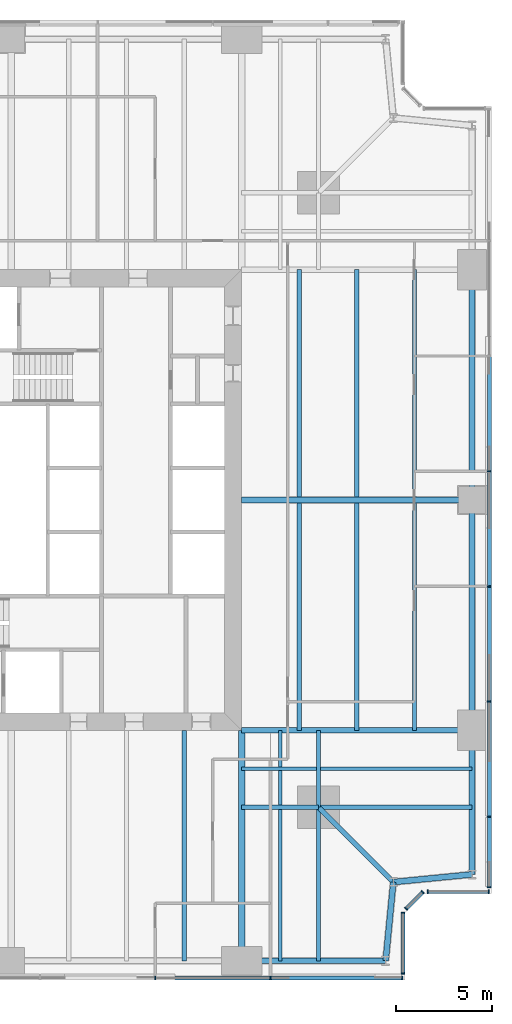
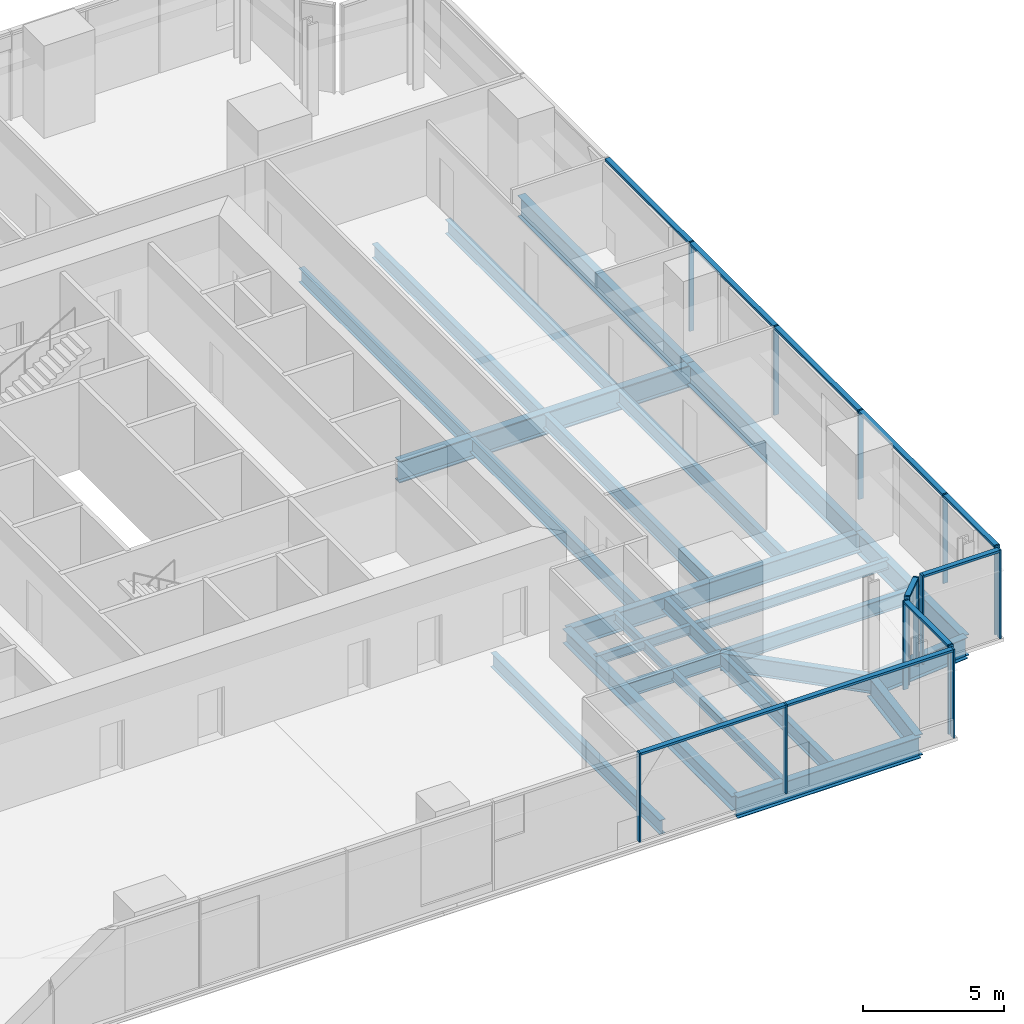
# One storey, part 5 of 14: 26 beams, 24 members, 5 elements without a shape of their own.
"""IFC4 building model written with IfcOpenShell, lengths in metres."""

from ifc_helpers import new_model, si_unit, direction, frame, origin, origin_2d, place, context, subcontext, project, spatial, rectangle, i_section, extrude, material, material_profile, profile_set, type_object, element, aggregate, save


model = new_model("IFC4")

# Units and contexts
model_context = context("Model", 3, precision=1e-05, world=origin(), true_north=direction((0.0, 1.0)))
body_context = subcontext(model_context, "Body", "Model", "MODEL_VIEW")
ifc_project = project(units=[si_unit("LENGTHUNIT", "METRE"), si_unit("AREAUNIT", "SQUARE_METRE"), si_unit("VOLUMEUNIT", "CUBIC_METRE"), si_unit("PLANEANGLEUNIT", "RADIAN"), si_unit("MASSUNIT", "GRAM", prefix="KILO")], contexts=[model_context])

# Site, building, storey
site_placement = place(None, origin())
site = spatial("IfcSite", under=ifc_project, at=site_placement, CompositionType="ELEMENT")
building_placement = place(site_placement, origin())
building = spatial("IfcBuilding", under=site, at=building_placement, Name="Fenwick Lantern Interchange", CompositionType="ELEMENT")
storey_placement = place(building_placement, frame((0.0, 0.0, 118.39990234375)))
storey = spatial("IfcBuildingStorey", under=building, at=storey_placement, Name="L27", CompositionType="ELEMENT", Elevation=118.39990234375)

# Beams
ifc_material_1 = material(Name="Steel ASTM A992 Grade 50", Category="steel")
ifc_material_profile_1 = material_profile(ifc_material_1, i_section(OverallWidth=0.3046875, OverallDepth=0.911865234375, WebThickness=0.015869140625, FlangeThickness=0.02392578125, at=origin_2d()), Name="W36X150")
ifc_profile_set_1 = profile_set([ifc_material_profile_1], Name="Steel ASTM A992 Grade 50")
beam_type_1 = type_object("IfcBeamType", Name="EDGE BEAM W36X150", PredefinedType="SPANDREL", material=ifc_profile_set_1)
beam_1_placement = place(storey_placement, frame((37.0, 1.0, -0.605712890625), z_axis=(1.0, 0.0, 0.0), x_axis=(0.0, 1.0, 0.0)))
element("IfcBeam", 1, at=beam_1_placement, inside=storey, type_object=beam_type_1, Name="L27/FR/S/EB4", PredefinedType="SPANDREL", context=body_context, shape_type="SweptSolid", body=[
    extrude(i_section(OverallWidth=0.3046875, OverallDepth=0.911865234375, WebThickness=0.015869140625, FlangeThickness=0.02392578125, at=origin_2d()), origin(), (0.0, 0.0, 1.0), 7.5),
])
for number, where, z_axis, x_axis, name in (
    (2, (44.5, 1.0, -0.605712890625), (0.097074191287, 0.995277148028, 0.0), (-0.995277148028, 0.097074191287, 0.0), "L27/FR/S/EBR1"),
    (3, (44.89990234375, 5.10009765625, -0.605712890625), (0.995277148028, 0.097074191287, 0.0), (-0.097074191287, 0.995277148028, 0.0), "L27/FR/S/EBR2"),
):
    element("IfcBeam", number, at=place(storey_placement, frame(where, z_axis=z_axis, x_axis=x_axis)), inside=storey, type_object=beam_type_1, Name=name, PredefinedType="SPANDREL", context=body_context, shape_type="SweptSolid", body=[
        extrude(i_section(OverallWidth=0.3046875, OverallDepth=0.911865234375, WebThickness=0.015869140625, FlangeThickness=0.02392578125, at=origin_2d()), origin(), (0.0, 0.0, 1.0), 4.11962890625),
    ])
beam_2_placement = place(storey_placement, frame((49.0, 5.5, -0.605712890625), z_axis=(0.0, 1.0, 0.0), x_axis=(-1.0, 0.0, 0.0)))
element("IfcBeam", 4, at=beam_2_placement, inside=storey, type_object=beam_type_1, Name="L27/FR/E/EB1", PredefinedType="SPANDREL", context=body_context, shape_type="SweptSolid", body=[
    extrude(i_section(OverallWidth=0.3046875, OverallDepth=0.911865234375, WebThickness=0.015869140625, FlangeThickness=0.02392578125, at=origin_2d()), origin(), (0.0, 0.0, 1.0), 7.5),
])
for number, where, z_axis, x_axis, name in (
    (5, (49.0, 13.0, -0.605712890625), (0.0, 1.0, 0.0), (-1.0, 0.0, 0.0), "L27/FR/E/EB2"),
    (6, (49.0, 25.0, -0.605712890625), (0.0, 1.0, 0.0), (-1.0, 0.0, 0.0), "L27/FR/E/EB3"),
):
    element("IfcBeam", number, at=place(storey_placement, frame(where, z_axis=z_axis, x_axis=x_axis)), inside=storey, type_object=beam_type_1, Name=name, PredefinedType="SPANDREL", context=body_context, shape_type="SweptSolid", body=[
        extrude(i_section(OverallWidth=0.3046875, OverallDepth=0.911865234375, WebThickness=0.015869140625, FlangeThickness=0.02392578125, at=origin_2d()), origin(), (0.0, 0.0, 1.0), 12.0),
    ])
ifc_material_profile_2 = material_profile(ifc_material_1, i_section(OverallWidth=0.22900390625, OverallDepth=0.612060546875, WebThickness=0.011962890625, FlangeThickness=0.01953125, at=origin_2d()), Name="W24X84")
ifc_profile_set_2 = profile_set([ifc_material_profile_2], Name="Steel ASTM A992 Grade 50")
beam_type_2 = type_object("IfcBeamType", Name="FLOOR BEAM W24X84", PredefinedType="BEAM", material=ifc_profile_set_2)
beam_3_placement = place(storey_placement, frame((34.0, 1.0, -0.4560546875), z_axis=(0.0, 1.0, 0.0), x_axis=(-1.0, 0.0, 0.0)))
element("IfcBeam", 7, at=beam_3_placement, inside=storey, type_object=beam_type_2, Name="L27/FR/S/R08", PredefinedType="BEAM", context=body_context, shape_type="SweptSolid", body=[
    extrude(i_section(OverallWidth=0.22900390625, OverallDepth=0.612060546875, WebThickness=0.011962890625, FlangeThickness=0.01953125, at=origin_2d()), origin(), (0.0, 0.0, 1.0), 12.0),
])
for number, where, z_axis, x_axis, name in (
    (8, (46.0, 13.0, -0.4560546875), (0.0, 1.0, 0.0), (-1.0, 0.0, 0.0), "L27/FR/E/B01"),
    (9, (43.0, 13.0, -0.4560546875), (0.0, 1.0, 0.0), (-1.0, 0.0, 0.0), "L27/FR/E/B02"),
    (10, (40.0, 13.0, -0.4560546875), (0.0, 1.0, 0.0), (-1.0, 0.0, 0.0), "L27/FR/E/B03"),
    (11, (46.0, 25.155029296875, -0.4560546875), (0.0, 1.0, 0.0), (-1.0, 0.0, 0.0), "L27/FR/E/B04"),
    (12, (43.0, 25.155029296875, -0.4560546875), (0.0, 1.0, 0.0), (-1.0, 0.0, 0.0), "L27/FR/E/B05"),
    (13, (40.0, 25.155029296875, -0.4560546875), (0.0, 1.0, 0.0), (-1.0, 0.0, 0.0), "L27/FR/E/B06"),
):
    element("IfcBeam", number, at=place(storey_placement, frame(where, z_axis=z_axis, x_axis=x_axis)), inside=storey, type_object=beam_type_2, Name=name, PredefinedType="BEAM", context=body_context, shape_type="SweptSolid", body=[
        extrude(i_section(OverallWidth=0.22900390625, OverallDepth=0.612060546875, WebThickness=0.011962890625, FlangeThickness=0.01953125, at=origin_2d()), origin(), (0.0, 0.0, 1.0), 11.844970703125),
    ])
ifc_material_profile_3 = material_profile(ifc_material_1, i_section(OverallWidth=0.177734375, OverallDepth=0.406494140625, WebThickness=0.0078125, FlangeThickness=0.012939453125, at=origin_2d()), Name="W16X40")
ifc_profile_set_3 = profile_set([ifc_material_profile_3], Name="Steel ASTM A992 Grade 50")
beam_type_3 = type_object("IfcBeamType", Name="INFILL BEAM W16X40", PredefinedType="JOIST", material=ifc_profile_set_3)
beam_4_placement = place(storey_placement, frame((49.0, 11.0, -0.35302734375), z_axis=(-1.0, 0.0, 0.0), x_axis=(0.0, -1.0, 0.0)))
element("IfcBeam", 14, at=beam_4_placement, inside=storey, type_object=beam_type_3, Name="L27/FR/E/J1", PredefinedType="JOIST", context=body_context, shape_type="SweptSolid", body=[
    extrude(i_section(OverallWidth=0.177734375, OverallDepth=0.406494140625, WebThickness=0.0078125, FlangeThickness=0.012939453125, at=origin_2d()), origin(), (0.0, 0.0, 1.0), 7.885498046875),
])
beam_5_placement = place(storey_placement, frame((40.885498046875, 11.0, -0.35302734375), z_axis=(-1.0, 0.0, 0.0), x_axis=(0.0, -1.0, 0.0)))
element("IfcBeam", 15, at=beam_5_placement, inside=storey, type_object=beam_type_3, Name="L27/FR/E/J2", PredefinedType="JOIST", context=body_context, shape_type="SweptSolid", body=[
    extrude(i_section(OverallWidth=0.177734375, OverallDepth=0.406494140625, WebThickness=0.0078125, FlangeThickness=0.012939453125, at=origin_2d()), origin(), (0.0, 0.0, 1.0), 3.885498046875),
])
beam_6_placement = place(storey_placement, frame((39.0, 1.0, -0.35302734375), z_axis=(0.0, 1.0, 0.0), x_axis=(-1.0, 0.0, 0.0)))
element("IfcBeam", 16, at=beam_6_placement, inside=storey, type_object=beam_type_3, Name="L27/FR/E/J3", PredefinedType="JOIST", context=body_context, shape_type="SweptSolid", body=[
    extrude(i_section(OverallWidth=0.177734375, OverallDepth=0.406494140625, WebThickness=0.0078125, FlangeThickness=0.012939453125, at=origin_2d()), origin(), (0.0, 0.0, 1.0), 7.885498046875),
])
beam_7_placement = place(storey_placement, frame((39.0, 9.114501953125, -0.35302734375), z_axis=(0.0, 1.0, 0.0), x_axis=(-1.0, 0.0, 0.0)))
element("IfcBeam", 17, at=beam_7_placement, inside=storey, type_object=beam_type_3, Name="L27/FR/E/J4", PredefinedType="JOIST", context=body_context, shape_type="SweptSolid", body=[
    extrude(i_section(OverallWidth=0.177734375, OverallDepth=0.406494140625, WebThickness=0.0078125, FlangeThickness=0.012939453125, at=origin_2d()), origin(), (0.0, 0.0, 1.0), 1.796630859375),
])
beam_8_placement = place(storey_placement, frame((39.0, 11.0888671875, -0.35302734375), z_axis=(0.0, 1.0, 0.0), x_axis=(-1.0, 0.0, 0.0)))
element("IfcBeam", 18, at=beam_8_placement, inside=storey, type_object=beam_type_3, Name="L27/FR/E/J5", PredefinedType="JOIST", context=body_context, shape_type="SweptSolid", body=[
    extrude(i_section(OverallWidth=0.177734375, OverallDepth=0.406494140625, WebThickness=0.0078125, FlangeThickness=0.012939453125, at=origin_2d()), origin(), (0.0, 0.0, 1.0), 1.9111328125),
])
ifc_material_profile_4 = material_profile(ifc_material_1, i_section(OverallWidth=0.22900390625, OverallDepth=0.612060546875, WebThickness=0.011962890625, FlangeThickness=0.01953125, at=origin_2d()), Name="W24X84")
ifc_profile_set_4 = profile_set([ifc_material_profile_4], Name="Steel ASTM A992 Grade 50")
beam_type_4 = type_object("IfcBeamType", Name="MEGA COLUMN BEAM W24X84", PredefinedType="BEAM", material=ifc_profile_set_4)
for number, where, z_axis, x_axis, name in (
    (19, (41.0, 9.0, -0.4560546875), (1.0, 0.0, 0.0), (0.0, 1.0, 0.0), "L27/FR/E/MB1"),
    (20, (41.0, 9.0, -0.4560546875), (0.0, -1.0, 0.0), (1.0, 0.0, 0.0), "L27/FR/E/MB2"),
):
    element("IfcBeam", number, at=place(storey_placement, frame(where, z_axis=z_axis, x_axis=x_axis)), inside=storey, type_object=beam_type_4, Name=name, PredefinedType="BEAM", context=body_context, shape_type="SweptSolid", body=[
        extrude(i_section(OverallWidth=0.22900390625, OverallDepth=0.612060546875, WebThickness=0.011962890625, FlangeThickness=0.01953125, at=origin_2d()), origin(), (0.0, 0.0, 1.0), 8.0),
    ])
for number, where, z_axis, x_axis, name in (
    (21, (41.0, 9.0, -0.4560546875), (0.0, 1.0, 0.0), (-1.0, 0.0, 0.0), "L27/FR/E/MB3"),
    (22, (41.0, 9.0, -0.4560546875), (-1.0, 0.0, 0.0), (0.0, -1.0, 0.0), "L27/FR/E/MB4"),
):
    element("IfcBeam", number, at=place(storey_placement, frame(where, z_axis=z_axis, x_axis=x_axis)), inside=storey, type_object=beam_type_4, Name=name, PredefinedType="BEAM", context=body_context, shape_type="SweptSolid", body=[
        extrude(i_section(OverallWidth=0.22900390625, OverallDepth=0.612060546875, WebThickness=0.011962890625, FlangeThickness=0.01953125, at=origin_2d()), origin(), (0.0, 0.0, 1.0), 4.0),
    ])
ifc_material_profile_5 = material_profile(ifc_material_1, i_section(OverallWidth=0.32763671875, OverallDepth=0.622314453125, WebThickness=0.015380859375, FlangeThickness=0.0244140625, at=origin_2d()), Name="W24X131")
ifc_profile_set_5 = profile_set([ifc_material_profile_5], Name="Steel ASTM A992 Grade 50")
beam_type_5 = type_object("IfcBeamType", Name="MOMENT-CONNECTED GIRDER W24X131", PredefinedType="BEAM", material=ifc_profile_set_5)
beam_9_placement = place(storey_placement, frame((37.0, 1.0, -0.4609375), z_axis=(0.0, 1.0, 0.0), x_axis=(-1.0, 0.0, 0.0)))
element("IfcBeam", 23, at=beam_9_placement, inside=storey, type_object=beam_type_5, Name="L27/FR/S/R09", PredefinedType="BEAM", context=body_context, shape_type="SweptSolid", body=[
    extrude(i_section(OverallWidth=0.32763671875, OverallDepth=0.622314453125, WebThickness=0.015380859375, FlangeThickness=0.0244140625, at=origin_2d()), origin(), (0.0, 0.0, 1.0), 12.0),
])
ifc_material_profile_6 = material_profile(ifc_material_1, i_section(OverallWidth=0.2919921875, OverallDepth=0.845703125, WebThickness=0.015380859375, FlangeThickness=0.0244140625, at=origin_2d()), Name="W33X141")
ifc_profile_set_6 = profile_set([ifc_material_profile_6], Name="Steel ASTM A992 Grade 50")
beam_type_6 = type_object("IfcBeamType", Name="MOMENT-CONNECTED GIRDER W33X141", PredefinedType="BEAM", material=ifc_profile_set_6)
beam_10_placement = place(storey_placement, frame((49.0, 13.0, -0.57275390625), z_axis=(-1.0, 0.0, 0.0), x_axis=(0.0, -1.0, 0.0)))
element("IfcBeam", 24, at=beam_10_placement, inside=storey, type_object=beam_type_6, Name="L27/FR/E/R01", PredefinedType="BEAM", context=body_context, shape_type="SweptSolid", body=[
    extrude(i_section(OverallWidth=0.2919921875, OverallDepth=0.845703125, WebThickness=0.015380859375, FlangeThickness=0.0244140625, at=origin_2d()), origin(), (0.0, 0.0, 1.0), 12.0),
])
ifc_material_profile_7 = material_profile(ifc_material_1, i_section(OverallWidth=0.309814453125, OverallDepth=0.949951171875, WebThickness=0.0244140625, FlangeThickness=0.0439453125, at=origin_2d()), Name="W36X256")
ifc_profile_set_7 = profile_set([ifc_material_profile_7], Name="Steel ASTM A992 Grade 50")
beam_type_7 = type_object("IfcBeamType", Name="MOMENT-CONNECTED GIRDER W36X256", PredefinedType="BEAM", material=ifc_profile_set_7)
beam_11_placement = place(storey_placement, frame((49.0, 25.0, -0.625), z_axis=(-1.0, 0.0, 0.0), x_axis=(0.0, -1.0, 0.0)))
element("IfcBeam", 25, at=beam_11_placement, inside=storey, type_object=beam_type_7, Name="L27/FR/E/R02", PredefinedType="BEAM", context=body_context, shape_type="SweptSolid", body=[
    extrude(i_section(OverallWidth=0.309814453125, OverallDepth=0.949951171875, WebThickness=0.0244140625, FlangeThickness=0.0439453125, at=origin_2d()), origin(), (0.0, 0.0, 1.0), 12.0),
])
ifc_material_profile_8 = material_profile(ifc_material_1, i_section(OverallWidth=0.2666015625, OverallDepth=0.7568359375, WebThickness=0.013916015625, FlangeThickness=0.019287109375, at=origin_2d()), Name="W30X108")
ifc_profile_set_8 = profile_set([ifc_material_profile_8], Name="Steel ASTM A992 Grade 50")
beam_type_8 = type_object("IfcBeamType", Name="NOTCH BEAM W30X108", PredefinedType="BEAM", material=ifc_profile_set_8)
beam_12_placement = place(storey_placement, frame((41.0, 9.0, -0.5283203125), z_axis=(0.707106781187, -0.707106781187, 0.0), x_axis=(0.707106781187, 0.707106781187, 0.0)))
element("IfcBeam", 26, at=beam_12_placement, inside=storey, type_object=beam_type_8, Name="L27/FR/E/TG", PredefinedType="BEAM", context=body_context, shape_type="SweptSolid", body=[
    extrude(i_section(OverallWidth=0.2666015625, OverallDepth=0.7568359375, WebThickness=0.013916015625, FlangeThickness=0.019287109375, at=origin_2d()), origin(), (0.0, 0.0, 1.0), 5.515380859375),
])

# Curtain wall, members
ifc_material_2 = material(Name="Aluminium curtain wall frame", Category="aluminium")
curtain_wall_type = type_object("IfcCurtainWallType", Name="OFFICE CURTAIN WALL", PredefinedType="USERDEFINED", material=ifc_material_2)
curtain_wall_1_placement = place(storey_placement, origin())
curtain_wall_1 = element("IfcCurtainWall", 27, at=curtain_wall_1_placement, inside=storey, type_object=curtain_wall_type, Name="Office curtain wall 01", ObjectType="OFFICE CURTAIN WALL", PredefinedType="USERDEFINED")
ifc_material_3 = material(Name="Aluminium extrusion", Category="aluminium")
ifc_material_profile_9 = material_profile(ifc_material_3, rectangle(XDim=0.199951171875, YDim=0.06494140625, at=origin_2d()), Name="OFFICE CURTAIN WALL MULLION 65 X 200")
ifc_profile_set_9 = profile_set([ifc_material_profile_9], Name="Aluminium extrusion")
member_type_1 = type_object("IfcMemberType", Name="OFFICE CURTAIN WALL MULLION 65 X 200", PredefinedType="MULLION", material=ifc_profile_set_9)
member_1_placement = place(storey_placement, frame((32.5, 0.10009765625, 0.0), z_axis=(0.0, 0.0, 1.0), x_axis=(0.0, 1.0, 0.0)))
member_1 = element("IfcMember", 28, at=member_1_placement, type_object=member_type_1, Name="L27/CW/01/M05", PredefinedType="MULLION", context=body_context, shape_type="SweptSolid", body=[
    extrude(rectangle(XDim=0.199951171875, YDim=0.06494140625, at=origin_2d()), origin(), (0.0, 0.0, 1.0), 3.85009765625),
])
member_2_placement = place(storey_placement, frame((38.5, 0.10009765625, 0.0), z_axis=(0.0, 0.0, 1.0), x_axis=(0.0, 1.0, 0.0)))
member_2 = element("IfcMember", 29, at=member_2_placement, type_object=member_type_1, Name="L27/CW/01/M06", PredefinedType="MULLION", context=body_context, shape_type="SweptSolid", body=[
    extrude(rectangle(XDim=0.199951171875, YDim=0.06494140625, at=origin_2d()), origin(), (0.0, 0.0, 1.0), 3.85009765625),
])
member_3_placement = place(storey_placement, frame((45.367431640625, 0.10009765625, 0.0), z_axis=(0.0, 0.0, 1.0), x_axis=(0.0, 1.0, 0.0)))
member_3 = element("IfcMember", 30, at=member_3_placement, type_object=member_type_1, Name="L27/CW/01/M07", PredefinedType="MULLION", context=body_context, shape_type="SweptSolid", body=[
    extrude(rectangle(XDim=0.199951171875, YDim=0.06494140625, at=origin_2d()), origin(), (0.0, 0.0, 1.0), 3.85009765625),
])

curtain_wall_2_placement = place(storey_placement, origin())
curtain_wall_2 = element("IfcCurtainWall", 31, at=curtain_wall_2_placement, inside=storey, type_object=curtain_wall_type, Name="Office curtain wall 02", ObjectType="OFFICE CURTAIN WALL", PredefinedType="USERDEFINED")
member_4_placement = place(storey_placement, frame((45.39990234375, 0.33251953125, 0.0), z_axis=(0.0, 0.0, 1.0), x_axis=(-1.0, 0.0, 0.0)))
member_4 = element("IfcMember", 32, at=member_4_placement, type_object=member_type_1, Name="L27/CW/02/M00", PredefinedType="MULLION", context=body_context, shape_type="SweptSolid", body=[
    extrude(rectangle(XDim=0.199951171875, YDim=0.06494140625, at=origin_2d()), origin(), (0.0, 0.0, 1.0), 3.85009765625),
])
member_5_placement = place(storey_placement, frame((45.39990234375, 3.509033203125, 0.0), z_axis=(0.0, 0.0, 1.0), x_axis=(-1.0, 0.0, 0.0)))
member_5 = element("IfcMember", 33, at=member_5_placement, type_object=member_type_1, Name="L27/CW/02/M01", PredefinedType="MULLION", context=body_context, shape_type="SweptSolid", body=[
    extrude(rectangle(XDim=0.199951171875, YDim=0.06494140625, at=origin_2d()), origin(), (0.0, 0.0, 1.0), 3.85009765625),
])

curtain_wall_3_placement = place(storey_placement, origin())
curtain_wall_3 = element("IfcCurtainWall", 34, at=curtain_wall_3_placement, inside=storey, type_object=curtain_wall_type, Name="Office curtain wall 03", ObjectType="OFFICE CURTAIN WALL", PredefinedType="USERDEFINED")
member_6_placement = place(storey_placement, frame((45.564453125, 3.705810546875, 0.0), z_axis=(0.0, 0.0, 1.0), x_axis=(-0.707106781187, 0.707106781187, 0.0)))
member_6 = element("IfcMember", 35, at=member_6_placement, type_object=member_type_1, Name="L27/CW/03/M00", PredefinedType="MULLION", context=body_context, shape_type="SweptSolid", body=[
    extrude(rectangle(XDim=0.199951171875, YDim=0.06494140625, at=origin_2d()), origin(), (0.0, 0.0, 1.0), 3.85009765625),
])
member_7_placement = place(storey_placement, frame((46.435546875, 4.576904296875, 0.0), z_axis=(0.0, 0.0, 1.0), x_axis=(-0.707106781187, 0.707106781187, 0.0)))
member_7 = element("IfcMember", 36, at=member_7_placement, type_object=member_type_1, Name="L27/CW/03/M01", PredefinedType="MULLION", context=body_context, shape_type="SweptSolid", body=[
    extrude(rectangle(XDim=0.199951171875, YDim=0.06494140625, at=origin_2d()), origin(), (0.0, 0.0, 1.0), 3.85009765625),
])

curtain_wall_4_placement = place(storey_placement, origin())
curtain_wall_4 = element("IfcCurtainWall", 37, at=curtain_wall_4_placement, inside=storey, type_object=curtain_wall_type, Name="Office curtain wall 04", ObjectType="OFFICE CURTAIN WALL", PredefinedType="USERDEFINED")
member_8_placement = place(storey_placement, frame((46.691162109375, 4.60009765625, 0.0), z_axis=(0.0, 0.0, 1.0), x_axis=(0.0, 1.0, 0.0)))
member_8 = element("IfcMember", 38, at=member_8_placement, type_object=member_type_1, Name="L27/CW/04/M00", PredefinedType="MULLION", context=body_context, shape_type="SweptSolid", body=[
    extrude(rectangle(XDim=0.199951171875, YDim=0.06494140625, at=origin_2d()), origin(), (0.0, 0.0, 1.0), 3.85009765625),
])
member_9_placement = place(storey_placement, frame((49.867431640625, 4.60009765625, 0.0), z_axis=(0.0, 0.0, 1.0), x_axis=(0.0, 1.0, 0.0)))
member_9 = element("IfcMember", 39, at=member_9_placement, type_object=member_type_1, Name="L27/CW/04/M01", PredefinedType="MULLION", context=body_context, shape_type="SweptSolid", body=[
    extrude(rectangle(XDim=0.199951171875, YDim=0.06494140625, at=origin_2d()), origin(), (0.0, 0.0, 1.0), 3.85009765625),
])

curtain_wall_5_placement = place(storey_placement, origin())
curtain_wall_5 = element("IfcCurtainWall", 40, at=curtain_wall_5_placement, inside=storey, type_object=curtain_wall_type, Name="Office curtain wall 05", ObjectType="OFFICE CURTAIN WALL", PredefinedType="USERDEFINED")
member_10_placement = place(storey_placement, frame((49.89990234375, 4.83251953125, 0.0), z_axis=(0.0, 0.0, 1.0), x_axis=(-1.0, 0.0, 0.0)))
member_10 = element("IfcMember", 41, at=member_10_placement, type_object=member_type_1, Name="L27/CW/05/M00", PredefinedType="MULLION", context=body_context, shape_type="SweptSolid", body=[
    extrude(rectangle(XDim=0.199951171875, YDim=0.06494140625, at=origin_2d()), origin(), (0.0, 0.0, 1.0), 3.85009765625),
])
member_11_placement = place(storey_placement, frame((49.89990234375, 8.5, 0.0), z_axis=(0.0, 0.0, 1.0), x_axis=(-1.0, 0.0, 0.0)))
member_11 = element("IfcMember", 42, at=member_11_placement, type_object=member_type_1, Name="L27/CW/05/M01", PredefinedType="MULLION", context=body_context, shape_type="SweptSolid", body=[
    extrude(rectangle(XDim=0.199951171875, YDim=0.06494140625, at=origin_2d()), origin(), (0.0, 0.0, 1.0), 3.85009765625),
])
member_12_placement = place(storey_placement, frame((49.89990234375, 14.5, 0.0), z_axis=(0.0, 0.0, 1.0), x_axis=(-1.0, 0.0, 0.0)))
member_12 = element("IfcMember", 43, at=member_12_placement, type_object=member_type_1, Name="L27/CW/05/M02", PredefinedType="MULLION", context=body_context, shape_type="SweptSolid", body=[
    extrude(rectangle(XDim=0.199951171875, YDim=0.06494140625, at=origin_2d()), origin(), (0.0, 0.0, 1.0), 3.85009765625),
])
member_13_placement = place(storey_placement, frame((49.89990234375, 20.5, 0.0), z_axis=(0.0, 0.0, 1.0), x_axis=(-1.0, 0.0, 0.0)))
member_13 = element("IfcMember", 44, at=member_13_placement, type_object=member_type_1, Name="L27/CW/05/M03", PredefinedType="MULLION", context=body_context, shape_type="SweptSolid", body=[
    extrude(rectangle(XDim=0.199951171875, YDim=0.06494140625, at=origin_2d()), origin(), (0.0, 0.0, 1.0), 3.85009765625),
])
member_14_placement = place(storey_placement, frame((49.89990234375, 26.5, 0.0), z_axis=(0.0, 0.0, 1.0), x_axis=(-1.0, 0.0, 0.0)))
member_14 = element("IfcMember", 45, at=member_14_placement, type_object=member_type_1, Name="L27/CW/05/M04", PredefinedType="MULLION", context=body_context, shape_type="SweptSolid", body=[
    extrude(rectangle(XDim=0.199951171875, YDim=0.06494140625, at=origin_2d()), origin(), (0.0, 0.0, 1.0), 3.85009765625),
])

# Member
ifc_material_profile_10 = material_profile(ifc_material_3, rectangle(XDim=0.199951171875, YDim=0.10009765625, at=origin_2d()), Name="OFFICE CURTAIN WALL TRANSOM 100 X 200")
ifc_profile_set_10 = profile_set([ifc_material_profile_10], Name="Aluminium extrusion")
member_type_2 = type_object("IfcMemberType", Name="OFFICE CURTAIN WALL TRANSOM 100 X 200", PredefinedType="MULLION", material=ifc_profile_set_10)
member_15_placement = place(storey_placement, frame((32.532470703125, 0.10009765625, 3.800048828125), z_axis=(1.0, 0.0, 0.0), x_axis=(0.0, 1.0, 0.0)))
member_15 = element("IfcMember", 46, at=member_15_placement, type_object=member_type_2, Name="L27/CW/01/T05", PredefinedType="MULLION", context=body_context, shape_type="SweptSolid", body=[
    extrude(rectangle(XDim=0.199951171875, YDim=0.10009765625, at=origin_2d()), origin(), (0.0, 0.0, 1.0), 5.93505859375),
])

member_16_placement = place(storey_placement, frame((38.532470703125, 0.10009765625, 3.800048828125), z_axis=(1.0, 0.0, 0.0), x_axis=(0.0, 1.0, 0.0)))
member_16 = element("IfcMember", 47, at=member_16_placement, type_object=member_type_2, Name="L27/CW/01/T06", PredefinedType="MULLION", context=body_context, shape_type="SweptSolid", body=[
    extrude(rectangle(XDim=0.199951171875, YDim=0.10009765625, at=origin_2d()), origin(), (0.0, 0.0, 1.0), 6.802490234375),
])

aggregate(curtain_wall_1, [member_1, member_2, member_3, member_15, member_16])

member_17_placement = place(storey_placement, frame((45.39990234375, 0.364990234375, 3.800048828125), z_axis=(0.0, 1.0, 0.0), x_axis=(-1.0, 0.0, 0.0)))
member_17 = element("IfcMember", 48, at=member_17_placement, type_object=member_type_2, Name="L27/CW/02/T00", PredefinedType="MULLION", context=body_context, shape_type="SweptSolid", body=[
    extrude(rectangle(XDim=0.199951171875, YDim=0.10009765625, at=origin_2d()), origin(), (0.0, 0.0, 1.0), 3.111328125),
])

aggregate(curtain_wall_2, [member_4, member_5, member_17])

member_18_placement = place(storey_placement, frame((45.58740234375, 3.728759765625, 3.800048828125), z_axis=(0.707106781187, 0.707106781187, 0.0), x_axis=(-0.707106781187, 0.707106781187, 0.0)))
member_18 = element("IfcMember", 49, at=member_18_placement, type_object=member_type_2, Name="L27/CW/03/T00", PredefinedType="MULLION", context=body_context, shape_type="SweptSolid", body=[
    extrude(rectangle(XDim=0.199951171875, YDim=0.10009765625, at=origin_2d()), origin(), (0.0, 0.0, 1.0), 1.1669921875),
])

aggregate(curtain_wall_3, [member_6, member_7, member_18])

member_19_placement = place(storey_placement, frame((46.7236328125, 4.60009765625, 3.800048828125), z_axis=(1.0, 0.0, 0.0), x_axis=(0.0, 1.0, 0.0)))
member_19 = element("IfcMember", 50, at=member_19_placement, type_object=member_type_2, Name="L27/CW/04/T00", PredefinedType="MULLION", context=body_context, shape_type="SweptSolid", body=[
    extrude(rectangle(XDim=0.199951171875, YDim=0.10009765625, at=origin_2d()), origin(), (0.0, 0.0, 1.0), 3.111328125),
])

aggregate(curtain_wall_4, [member_8, member_9, member_19])

member_20_placement = place(storey_placement, frame((49.89990234375, 4.864990234375, 3.800048828125), z_axis=(0.0, 1.0, 0.0), x_axis=(-1.0, 0.0, 0.0)))
member_20 = element("IfcMember", 51, at=member_20_placement, type_object=member_type_2, Name="L27/CW/05/T00", PredefinedType="MULLION", context=body_context, shape_type="SweptSolid", body=[
    extrude(rectangle(XDim=0.199951171875, YDim=0.10009765625, at=origin_2d()), origin(), (0.0, 0.0, 1.0), 3.6025390625),
])

member_21_placement = place(storey_placement, frame((49.89990234375, 8.532470703125, 3.800048828125), z_axis=(0.0, 1.0, 0.0), x_axis=(-1.0, 0.0, 0.0)))
member_21 = element("IfcMember", 52, at=member_21_placement, type_object=member_type_2, Name="L27/CW/05/T01", PredefinedType="MULLION", context=body_context, shape_type="SweptSolid", body=[
    extrude(rectangle(XDim=0.199951171875, YDim=0.10009765625, at=origin_2d()), origin(), (0.0, 0.0, 1.0), 5.93505859375),
])

member_22_placement = place(storey_placement, frame((49.89990234375, 14.532470703125, 3.800048828125), z_axis=(0.0, 1.0, 0.0), x_axis=(-1.0, 0.0, 0.0)))
member_22 = element("IfcMember", 53, at=member_22_placement, type_object=member_type_2, Name="L27/CW/05/T02", PredefinedType="MULLION", context=body_context, shape_type="SweptSolid", body=[
    extrude(rectangle(XDim=0.199951171875, YDim=0.10009765625, at=origin_2d()), origin(), (0.0, 0.0, 1.0), 5.93505859375),
])

member_23_placement = place(storey_placement, frame((49.89990234375, 20.532470703125, 3.800048828125), z_axis=(0.0, 1.0, 0.0), x_axis=(-1.0, 0.0, 0.0)))
member_23 = element("IfcMember", 54, at=member_23_placement, type_object=member_type_2, Name="L27/CW/05/T03", PredefinedType="MULLION", context=body_context, shape_type="SweptSolid", body=[
    extrude(rectangle(XDim=0.199951171875, YDim=0.10009765625, at=origin_2d()), origin(), (0.0, 0.0, 1.0), 5.93505859375),
])

member_24_placement = place(storey_placement, frame((49.89990234375, 26.532470703125, 3.800048828125), z_axis=(0.0, 1.0, 0.0), x_axis=(-1.0, 0.0, 0.0)))
member_24 = element("IfcMember", 55, at=member_24_placement, type_object=member_type_2, Name="L27/CW/05/T04", PredefinedType="MULLION", context=body_context, shape_type="SweptSolid", body=[
    extrude(rectangle(XDim=0.199951171875, YDim=0.10009765625, at=origin_2d()), origin(), (0.0, 0.0, 1.0), 5.93505859375),
])

aggregate(curtain_wall_5, [member_10, member_11, member_12, member_13, member_14, member_20, member_21, member_22, member_23, member_24])

save(model, "model.ifc")
